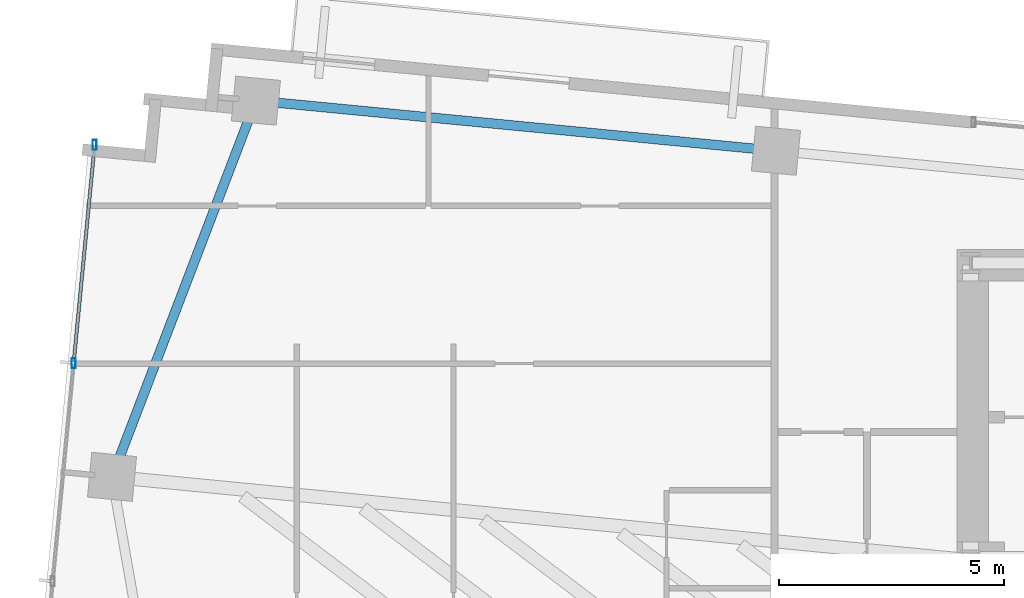
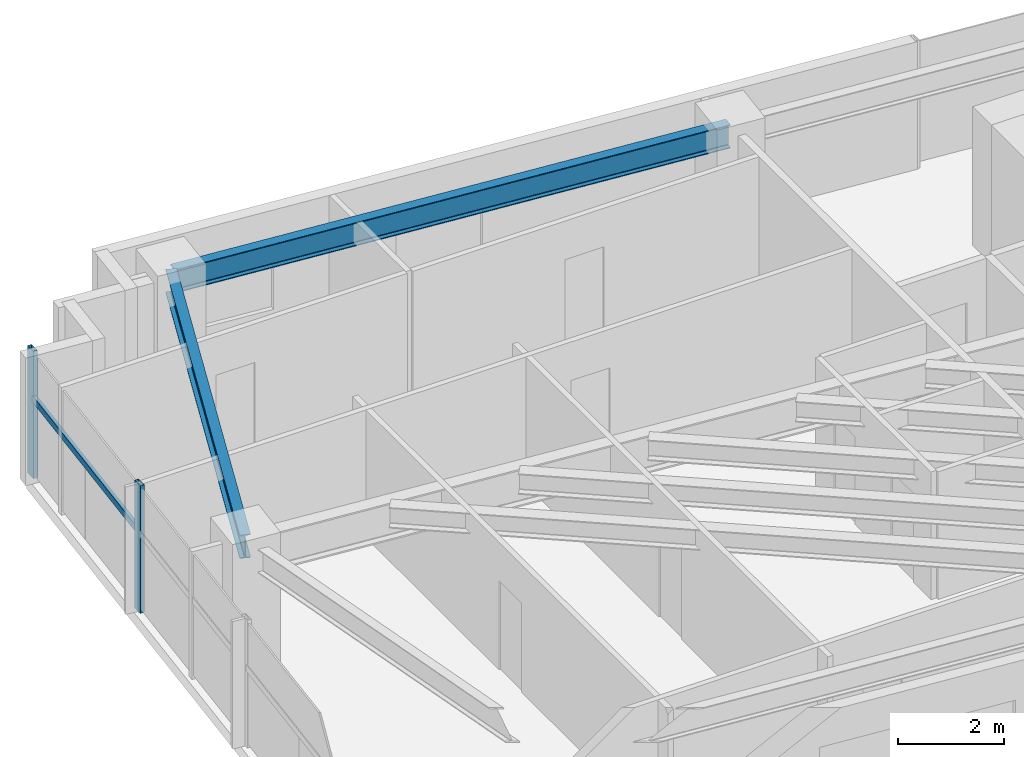
# One storey, part 6 of 19: 3 members, 2 beams, 1 element without a shape of its own.
"""IFC4 building model written with IfcOpenShell, lengths in metres."""

from ifc_helpers import new_model, si_unit, direction, frame, origin, origin_2d, place, context, subcontext, project, spatial, hollow_rectangle, i_section, extrude, source, transform, mapped, material, material_profile, profile_set, type_object, type_shapes, element, aggregate, save


model = new_model("IFC4")

# Units and contexts
model_context = context("Model", 3, precision=1e-05, world=origin(), true_north=direction((0.0, 1.0)))
body_context = subcontext(model_context, "Body", "Model", "MODEL_VIEW")
ifc_project = project(units=[si_unit("LENGTHUNIT", "METRE"), si_unit("AREAUNIT", "SQUARE_METRE"), si_unit("VOLUMEUNIT", "CUBIC_METRE"), si_unit("PLANEANGLEUNIT", "RADIAN"), si_unit("MASSUNIT", "GRAM", prefix="KILO")], contexts=[model_context])

# Site, building, storey
site_placement = place(None, origin())
site = spatial("IfcSite", under=ifc_project, at=site_placement, CompositionType="ELEMENT")
building_placement = place(site_placement, origin())
building = spatial("IfcBuilding", under=site, at=building_placement, Name="Astriad Promenade Condominiums", CompositionType="ELEMENT")
storey_placement = place(building_placement, frame((0.0, 0.0, 147.0)))
storey = spatial("IfcBuildingStorey", under=building, at=storey_placement, Name="L42", CompositionType="ELEMENT", Elevation=147.0)

# Beams
ifc_material_1 = material(Name="Steel ASTM A992 Grade 50", Category="steel")
ifc_material_profile_1 = material_profile(ifc_material_1, i_section(OverallWidth=0.210693359375, OverallDepth=0.53955078125, WebThickness=0.01171875, FlangeThickness=0.018798828125, FilletRadius=0.0166015625, at=origin_2d()), Name="W21X73")
ifc_profile_set_1 = profile_set([ifc_material_profile_1], Name="Steel ASTM A992 Grade 50")
beam_type = type_object("IfcBeamType", Name="STEEL SPANDREL BEAM W21X73", PredefinedType="SPANDREL", material=ifc_profile_set_1)
shared_shape_1 = source(origin(), body_context, "Body", "SweptSolid", [
    extrude(i_section(OverallWidth=0.210693359375, OverallDepth=0.53955078125, WebThickness=0.01171875, FlangeThickness=0.018798828125, FilletRadius=0.0166015625, at=origin_2d()), origin(), (0.0, 0.0, 1.0), 11.52001953125),
])
beam_1_placement = place(storey_placement, frame((22.039794921875, 26.495849609375, 2.67041015625), z_axis=(-0.9953953902, 0.095854145285, 0.0), x_axis=(-0.095854145285, -0.9953953902, 0.0)))
element("IfcBeam", 1, at=beam_1_placement, inside=storey, type_object=beam_type, Name="Perimeter Spandrel Beam SP-N1-L42", PredefinedType="SPANDREL", context=body_context, shape_type="MappedRepresentation", body=[
    mapped(shared_shape_1, transform((0.0, 0.0, 0.0), scale=1.0)),
])
shared_shape_2 = source(origin(), body_context, "Body", "SweptSolid", [
    extrude(i_section(OverallWidth=0.210693359375, OverallDepth=0.53955078125, WebThickness=0.01171875, FlangeThickness=0.018798828125, FilletRadius=0.0166015625, at=origin_2d()), origin(), (0.0, 0.0, 1.0), 8.862548828125),
])
type_shapes(beam_type, [shared_shape_1, shared_shape_2])
beam_2_placement = place(storey_placement, frame((10.518798828125, 27.56640625, 2.67041015625), z_axis=(-0.357322663703, -0.933981003021, 0.0), x_axis=(0.933981003021, -0.357322663703, 0.0)))
element("IfcBeam", 2, at=beam_2_placement, inside=storey, type_object=beam_type, Name="Perimeter Spandrel Beam SP-W2-L42", PredefinedType="SPANDREL", context=body_context, shape_type="MappedRepresentation", body=[
    mapped(shared_shape_2, transform((0.0, 0.0, 0.0), scale=1.0)),
])

# Curtain wall, members
ifc_material_2 = material(Name="Anodised aluminium Black Dark Glass Unitised", Category="aluminium")
curtain_wall_type = type_object("IfcCurtainWallType", Name="CW-B34-DARK", PredefinedType="USERDEFINED", material=ifc_material_2)
curtain_wall_placement = place(storey_placement, origin())
curtain_wall = element("IfcCurtainWall", 3, at=curtain_wall_placement, inside=storey, type_object=curtain_wall_type, Name="CW-L42-W", ObjectType="UNITISED_CURTAIN_WALL", PredefinedType="USERDEFINED")
ifc_material_3 = material(Name="Anodised aluminium 6063-T6 Black", Category="aluminium")
ifc_material_profile_2 = material_profile(ifc_material_3, hollow_rectangle(XDim=0.0849609375, YDim=0.219970703125, WallThickness=0.0048828125, at=origin_2d()), Name="ALU-MUL-85X220")
ifc_profile_set_2 = profile_set([ifc_material_profile_2], Name="Anodised aluminium 6063-T6 Black")
member_type_1 = type_object("IfcMemberType", Name="MUL-ALU-MUL-85X220", PredefinedType="MULLION", material=ifc_profile_set_2)
shared_shape_3 = source(origin(), body_context, "Body", "SweptSolid", [
    extrude(hollow_rectangle(XDim=0.0849609375, YDim=0.219970703125, WallThickness=0.0048828125, at=origin_2d()), origin(), (0.0, 0.0, 1.0), 2.93994140625),
])
type_shapes(member_type_1, [shared_shape_3])
member_1_placement = place(storey_placement, frame((6.486083984375, 21.7783203125, 0.0), z_axis=(0.0, 0.0, 1.0), x_axis=(1.0, 0.0, 0.0)))
member_1 = element("IfcMember", 4, at=member_1_placement, type_object=member_type_1, Name="CW-L42-W-MUL-02", PredefinedType="MULLION", context=body_context, shape_type="MappedRepresentation", body=[
    mapped(shared_shape_3, transform((0.0, 0.0, 0.0), scale=1.0)),
])
member_2_placement = place(storey_placement, frame((6.952392578125, 26.62255859375, 0.0), z_axis=(0.0, 0.0, 1.0), x_axis=(1.0, 0.0, 0.0)))
member_2 = element("IfcMember", 5, at=member_2_placement, type_object=member_type_1, Name="CW-L42-W-MUL-03", PredefinedType="MULLION", context=body_context, shape_type="MappedRepresentation", body=[
    mapped(shared_shape_3, transform((0.0, 0.0, 0.0), scale=1.0)),
])
ifc_material_profile_3 = material_profile(ifc_material_3, hollow_rectangle(XDim=0.074951171875, YDim=0.14990234375, WallThickness=0.004150390625, at=origin_2d()), Name="ALU-TRN-75X150")
ifc_profile_set_3 = profile_set([ifc_material_profile_3], Name="Anodised aluminium 6063-T6 Black")
member_type_2 = type_object("IfcMemberType", Name="TRN-ALU-TRN-75X150", PredefinedType="USERDEFINED", material=ifc_profile_set_3)
shared_shape_4 = source(origin(), body_context, "Body", "SweptSolid", [
    extrude(hollow_rectangle(XDim=0.074951171875, YDim=0.14990234375, WallThickness=0.004150390625, at=origin_2d()), origin(), (0.0, 0.0, 1.0), 4.86669921875),
])
type_shapes(member_type_2, [shared_shape_4])
member_3_placement = place(storey_placement, frame((6.486083984375, 21.7783203125, 1.82275390625), z_axis=(0.095817554883, 0.995398913088, 0.0), x_axis=(-0.995398913088, 0.095817554883, 0.0)))
member_3 = element("IfcMember", 6, at=member_3_placement, type_object=member_type_2, Name="CW-L42-W-TRN-02-0", ObjectType="TRANSOM", PredefinedType="USERDEFINED", context=body_context, shape_type="MappedRepresentation", body=[
    mapped(shared_shape_4, transform((0.0, 0.0, 0.0), scale=1.0)),
])
aggregate(curtain_wall, [member_1, member_2, member_3])

save(model, "model.ifc")
